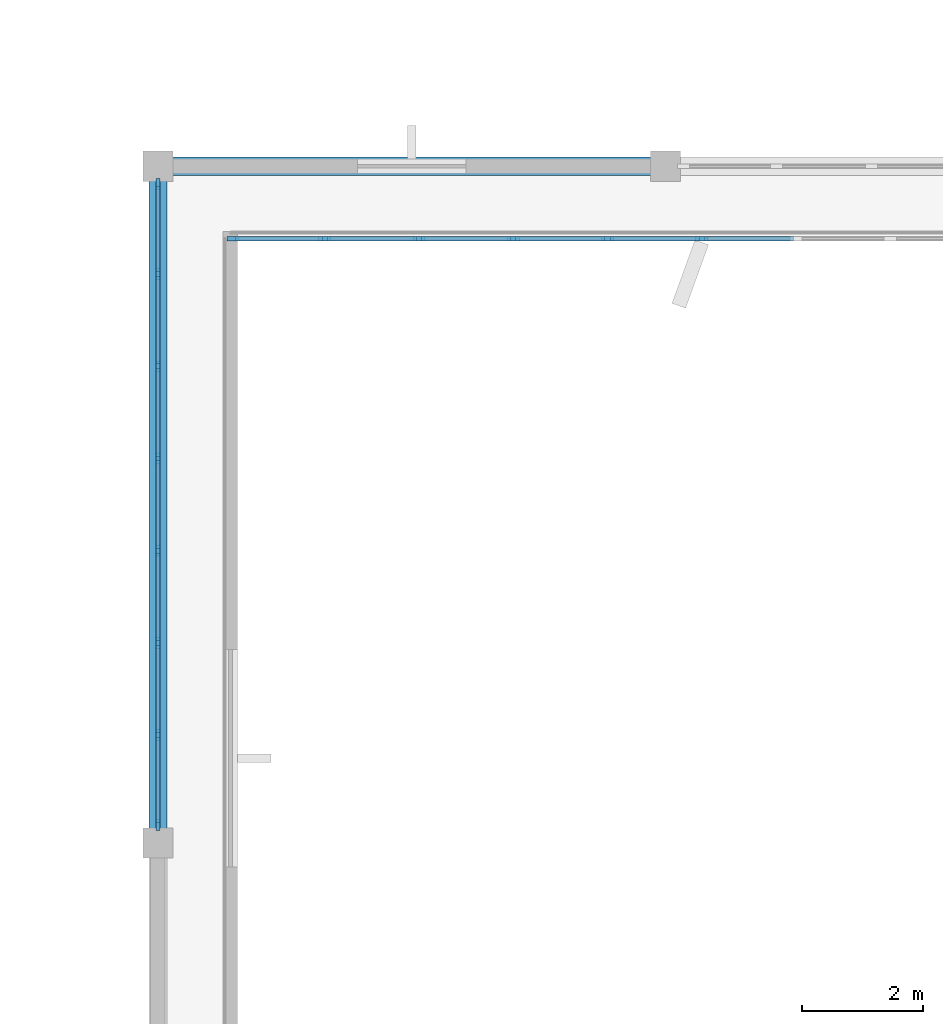
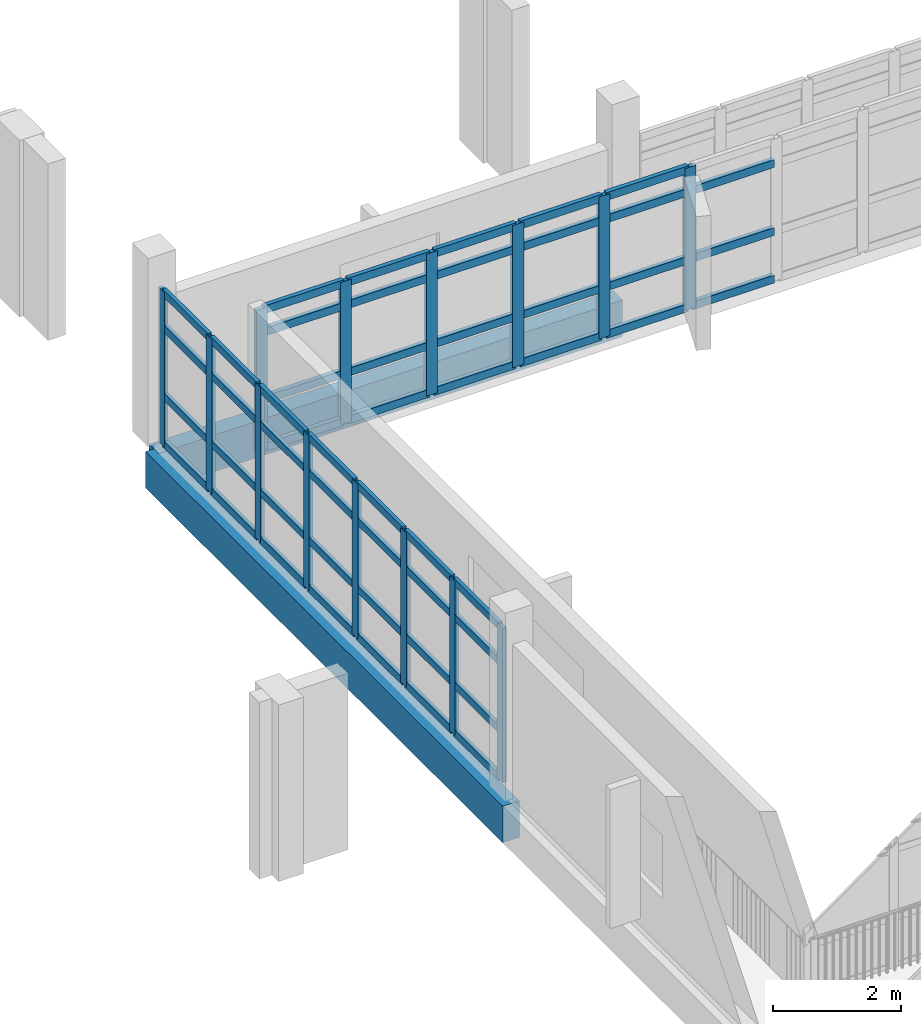
# One storey, part 34 of 104: 65 members, 2 beams, 2 elements without a shape of their own.
"""IFC4 building model written with IfcOpenShell, lengths in metres."""

from ifc_helpers import new_model, si_unit, direction, frame, origin, origin_2d, place, context, subcontext, project, spatial, rectangle, extrude, material, material_profile, profile_set, type_object, element, aggregate, save


model = new_model("IFC4")

# Units and contexts
model_context = context("Model", 3, precision=1e-05, world=origin(), true_north=direction((0.0, 1.0)))
body_context = subcontext(model_context, "Body", "Model", "MODEL_VIEW")
ifc_project = project(units=[si_unit("LENGTHUNIT", "METRE"), si_unit("AREAUNIT", "SQUARE_METRE"), si_unit("VOLUMEUNIT", "CUBIC_METRE"), si_unit("PLANEANGLEUNIT", "RADIAN"), si_unit("MASSUNIT", "GRAM", prefix="KILO")], contexts=[model_context])

# Site, building, storey
site_placement = place(None, origin())
site = spatial("IfcSite", under=ifc_project, at=site_placement, CompositionType="ELEMENT")
building_placement = place(site_placement, origin())
building = spatial("IfcBuilding", under=site, at=building_placement, Name="Vanh Quang Courtyard School", CompositionType="ELEMENT")
storey_placement = place(building_placement, frame((0.0, 0.0, 4.199951171875)))
storey = spatial("IfcBuildingStorey", under=building, at=storey_placement, Name="L01", CompositionType="ELEMENT", Elevation=4.199951171875)

# Beams
ifc_material_1 = material(Name="Concrete C35/45", Category="concrete")
ifc_material_profile_1 = material_profile(ifc_material_1, rectangle(XDim=0.300048828125, YDim=0.699951171875, at=origin_2d()), Name="RC-SP 300x700")
ifc_profile_set_1 = profile_set([ifc_material_profile_1], Name="Concrete C35/45")
beam_type = type_object("IfcBeamType", Name="BM-SP-300x700", PredefinedType="SPANDREL", material=ifc_profile_set_1)
beam_1_placement = place(storey_placement, frame((4.199951171875, 107.800048828125, -0.6298828125), z_axis=(1.0, 0.0, 0.0), x_axis=(0.0, 1.0, 0.0)))
element("IfcBeam", 1, at=beam_1_placement, inside=storey, type_object=beam_type, Name="Beam BS-01 (L01)", PredefinedType="SPANDREL", context=body_context, shape_type="SweptSolid", body=[
    extrude(rectangle(XDim=0.300048828125, YDim=0.699951171875, at=origin_2d()), origin(), (0.0, 0.0, 1.0), 8.400146484375),
])
beam_2_placement = place(storey_placement, frame((4.199951171875, 96.60009765625, -0.6298828125), z_axis=(0.0, 1.0, 0.0), x_axis=(-1.0, 0.0, 0.0)))
element("IfcBeam", 2, at=beam_2_placement, inside=storey, type_object=beam_type, Name="Beam BS-01 (L01)", PredefinedType="SPANDREL", context=body_context, shape_type="SweptSolid", body=[
    extrude(rectangle(XDim=0.300048828125, YDim=0.699951171875, at=origin_2d()), origin(), (0.0, 0.0, 1.0), 11.199951171875),
])

# Curtain wall, members
ifc_material_2 = material(Name="Thermally broken aluminium unitised curtain wall", Category="aluminium")
curtain_wall_type_1 = type_object("IfcCurtainWallType", Name="CW-SYS-22", PredefinedType="NOTDEFINED", material=ifc_material_2)
curtain_wall_1_placement = place(storey_placement, origin())
curtain_wall_1 = element("IfcCurtainWall", 3, at=curtain_wall_1_placement, inside=storey, type_object=curtain_wall_type_1, Name="Curtain Wall CW-22 (L01)", PredefinedType="NOTDEFINED")
ifc_material_3 = material(Name="Anodised aluminium 6063-T6", Category="aluminium")
ifc_material_profile_2 = material_profile(ifc_material_3, rectangle(XDim=0.070068359375, YDim=0.179931640625, at=origin_2d()), Name="ALU-MUL 70x180")
ifc_profile_set_2 = profile_set([ifc_material_profile_2], Name="Anodised aluminium 6063-T6")
member_type_1 = type_object("IfcMemberType", Name="CW-MUL-70x180", PredefinedType="MULLION", material=ifc_profile_set_2)
member_1_placement = place(storey_placement, frame((4.199951171875, 96.89306640625, 0.0), z_axis=(0.0, 0.0, 1.0), x_axis=(-1.0, 0.0, 0.0)))
member_1 = element("IfcMember", 4, at=member_1_placement, type_object=member_type_1, Name="CW-22 mullion 1", PredefinedType="MULLION", context=body_context, shape_type="SweptSolid", body=[
    extrude(rectangle(XDim=0.070068359375, YDim=0.179931640625, at=origin_2d()), origin(), (0.0, 0.0, 1.0), 2.9599609375),
])
member_2_placement = place(storey_placement, frame((4.199951171875, 98.38427734375, 0.0), z_axis=(0.0, 0.0, 1.0), x_axis=(-1.0, 0.0, 0.0)))
member_2 = element("IfcMember", 5, at=member_2_placement, type_object=member_type_1, Name="CW-22 mullion 2", PredefinedType="MULLION", context=body_context, shape_type="SweptSolid", body=[
    extrude(rectangle(XDim=0.070068359375, YDim=0.179931640625, at=origin_2d()), origin(), (0.0, 0.0, 1.0), 2.9599609375),
])
member_3_placement = place(storey_placement, frame((4.199951171875, 99.91064453125, 0.0), z_axis=(0.0, 0.0, 1.0), x_axis=(-1.0, 0.0, 0.0)))
member_3 = element("IfcMember", 6, at=member_3_placement, type_object=member_type_1, Name="CW-22 mullion 3", PredefinedType="MULLION", context=body_context, shape_type="SweptSolid", body=[
    extrude(rectangle(XDim=0.070068359375, YDim=0.179931640625, at=origin_2d()), origin(), (0.0, 0.0, 1.0), 2.9599609375),
])
member_4_placement = place(storey_placement, frame((4.199951171875, 101.436767578125, 0.0), z_axis=(0.0, 0.0, 1.0), x_axis=(-1.0, 0.0, 0.0)))
member_4 = element("IfcMember", 7, at=member_4_placement, type_object=member_type_1, Name="CW-22 mullion 4", PredefinedType="MULLION", context=body_context, shape_type="SweptSolid", body=[
    extrude(rectangle(XDim=0.070068359375, YDim=0.179931640625, at=origin_2d()), origin(), (0.0, 0.0, 1.0), 2.9599609375),
])
member_5_placement = place(storey_placement, frame((4.199951171875, 102.963134765625, 0.0), z_axis=(0.0, 0.0, 1.0), x_axis=(-1.0, 0.0, 0.0)))
member_5 = element("IfcMember", 8, at=member_5_placement, type_object=member_type_1, Name="CW-22 mullion 5", PredefinedType="MULLION", context=body_context, shape_type="SweptSolid", body=[
    extrude(rectangle(XDim=0.070068359375, YDim=0.179931640625, at=origin_2d()), origin(), (0.0, 0.0, 1.0), 2.9599609375),
])
member_6_placement = place(storey_placement, frame((4.199951171875, 104.489501953125, 0.0), z_axis=(0.0, 0.0, 1.0), x_axis=(-1.0, 0.0, 0.0)))
member_6 = element("IfcMember", 9, at=member_6_placement, type_object=member_type_1, Name="CW-22 mullion 6", PredefinedType="MULLION", context=body_context, shape_type="SweptSolid", body=[
    extrude(rectangle(XDim=0.070068359375, YDim=0.179931640625, at=origin_2d()), origin(), (0.0, 0.0, 1.0), 2.9599609375),
])
member_7_placement = place(storey_placement, frame((4.199951171875, 106.015625, 0.0), z_axis=(0.0, 0.0, 1.0), x_axis=(-1.0, 0.0, 0.0)))
member_7 = element("IfcMember", 10, at=member_7_placement, type_object=member_type_1, Name="CW-22 mullion 7", PredefinedType="MULLION", context=body_context, shape_type="SweptSolid", body=[
    extrude(rectangle(XDim=0.070068359375, YDim=0.179931640625, at=origin_2d()), origin(), (0.0, 0.0, 1.0), 2.9599609375),
])
member_8_placement = place(storey_placement, frame((4.199951171875, 107.507080078125, 0.0), z_axis=(0.0, 0.0, 1.0), x_axis=(-1.0, 0.0, 0.0)))
member_8 = element("IfcMember", 11, at=member_8_placement, type_object=member_type_1, Name="CW-22 mullion 8", PredefinedType="MULLION", context=body_context, shape_type="SweptSolid", body=[
    extrude(rectangle(XDim=0.070068359375, YDim=0.179931640625, at=origin_2d()), origin(), (0.0, 0.0, 1.0), 2.9599609375),
])

curtain_wall_type_2 = type_object("IfcCurtainWallType", Name="CW-SYS-35", PredefinedType="NOTDEFINED", material=ifc_material_2)
curtain_wall_2_placement = place(storey_placement, origin())
curtain_wall_2 = element("IfcCurtainWall", 12, at=curtain_wall_2_placement, inside=storey, type_object=curtain_wall_type_2, Name="Curtain Wall CW-35 (L01)", PredefinedType="NOTDEFINED")
ifc_material_profile_3 = material_profile(ifc_material_3, rectangle(XDim=0.080078125, YDim=0.199951171875, at=origin_2d()), Name="ALU-MUL 80x200")
ifc_profile_set_3 = profile_set([ifc_material_profile_3], Name="Anodised aluminium 6063-T6")
member_type_2 = type_object("IfcMemberType", Name="CW-MUL-80x200", PredefinedType="MULLION", material=ifc_profile_set_3)
member_9_placement = place(storey_placement, frame((13.199951171875, 106.60009765625, 0.0), z_axis=(0.0, 0.0, 1.0), x_axis=(0.0, -1.0, 0.0)))
member_9 = element("IfcMember", 13, at=member_9_placement, type_object=member_type_2, Name="CW-35 mullion 6", PredefinedType="MULLION", context=body_context, shape_type="SweptSolid", body=[
    extrude(rectangle(XDim=0.080078125, YDim=0.199951171875, at=origin_2d()), origin(), (0.0, 0.0, 1.0), 2.719970703125),
])
member_10_placement = place(storey_placement, frame((11.639892578125, 106.60009765625, 0.0), z_axis=(0.0, 0.0, 1.0), x_axis=(0.0, -1.0, 0.0)))
member_10 = element("IfcMember", 14, at=member_10_placement, type_object=member_type_2, Name="CW-35 mullion 7", PredefinedType="MULLION", context=body_context, shape_type="SweptSolid", body=[
    extrude(rectangle(XDim=0.080078125, YDim=0.199951171875, at=origin_2d()), origin(), (0.0, 0.0, 1.0), 2.719970703125),
])
member_11_placement = place(storey_placement, frame((10.080078125, 106.60009765625, 0.0), z_axis=(0.0, 0.0, 1.0), x_axis=(0.0, -1.0, 0.0)))
member_11 = element("IfcMember", 15, at=member_11_placement, type_object=member_type_2, Name="CW-35 mullion 8", PredefinedType="MULLION", context=body_context, shape_type="SweptSolid", body=[
    extrude(rectangle(XDim=0.080078125, YDim=0.199951171875, at=origin_2d()), origin(), (0.0, 0.0, 1.0), 2.719970703125),
])
member_12_placement = place(storey_placement, frame((8.52001953125, 106.60009765625, 0.0), z_axis=(0.0, 0.0, 1.0), x_axis=(0.0, -1.0, 0.0)))
member_12 = element("IfcMember", 16, at=member_12_placement, type_object=member_type_2, Name="CW-35 mullion 9", PredefinedType="MULLION", context=body_context, shape_type="SweptSolid", body=[
    extrude(rectangle(XDim=0.080078125, YDim=0.199951171875, at=origin_2d()), origin(), (0.0, 0.0, 1.0), 2.719970703125),
])
member_13_placement = place(storey_placement, frame((6.9599609375, 106.60009765625, 0.0), z_axis=(0.0, 0.0, 1.0), x_axis=(0.0, -1.0, 0.0)))
member_13 = element("IfcMember", 17, at=member_13_placement, type_object=member_type_2, Name="CW-35 mullion 10", PredefinedType="MULLION", context=body_context, shape_type="SweptSolid", body=[
    extrude(rectangle(XDim=0.080078125, YDim=0.199951171875, at=origin_2d()), origin(), (0.0, 0.0, 1.0), 2.719970703125),
])
member_14_placement = place(storey_placement, frame((5.43994140625, 106.60009765625, 0.0), z_axis=(0.0, 0.0, 1.0), x_axis=(0.0, -1.0, 0.0)))
member_14 = element("IfcMember", 18, at=member_14_placement, type_object=member_type_2, Name="CW-35 mullion 11", PredefinedType="MULLION", context=body_context, shape_type="SweptSolid", body=[
    extrude(rectangle(XDim=0.080078125, YDim=0.199951171875, at=origin_2d()), origin(), (0.0, 0.0, 1.0), 2.719970703125),
])

# Member
ifc_material_profile_4 = material_profile(ifc_material_3, rectangle(XDim=0.070068359375, YDim=0.139892578125, at=origin_2d()), Name="ALU-TRN 70x140")
ifc_profile_set_4 = profile_set([ifc_material_profile_4], Name="Anodised aluminium 6063-T6")
member_type_3 = type_object("IfcMemberType", Name="CW-TRN-70x140", PredefinedType="USERDEFINED", material=ifc_profile_set_4)
member_15_placement = place(storey_placement, frame((4.199951171875, 96.927978515625, 0.03515625), z_axis=(0.0, 1.0, 0.0), x_axis=(-1.0, 0.0, 0.0)))
member_15 = element("IfcMember", 19, at=member_15_placement, type_object=member_type_3, Name="CW-22 transom 1.1", ObjectType="TRANSOM", PredefinedType="USERDEFINED", context=body_context, shape_type="SweptSolid", body=[
    extrude(rectangle(XDim=0.070068359375, YDim=0.139892578125, at=origin_2d()), origin(), (0.0, 0.0, 1.0), 1.42138671875),
])

member_16_placement = place(storey_placement, frame((4.199951171875, 96.927978515625, 0.949951171875), z_axis=(0.0, 1.0, 0.0), x_axis=(-1.0, 0.0, 0.0)))
member_16 = element("IfcMember", 20, at=member_16_placement, type_object=member_type_3, Name="CW-22 transom 1.2", ObjectType="TRANSOM", PredefinedType="USERDEFINED", context=body_context, shape_type="SweptSolid", body=[
    extrude(rectangle(XDim=0.070068359375, YDim=0.139892578125, at=origin_2d()), origin(), (0.0, 0.0, 1.0), 1.42138671875),
])

member_17_placement = place(storey_placement, frame((4.199951171875, 96.927978515625, 2.25), z_axis=(0.0, 1.0, 0.0), x_axis=(-1.0, 0.0, 0.0)))
member_17 = element("IfcMember", 21, at=member_17_placement, type_object=member_type_3, Name="CW-22 transom 1.3", ObjectType="TRANSOM", PredefinedType="USERDEFINED", context=body_context, shape_type="SweptSolid", body=[
    extrude(rectangle(XDim=0.070068359375, YDim=0.139892578125, at=origin_2d()), origin(), (0.0, 0.0, 1.0), 1.42138671875),
])

member_18_placement = place(storey_placement, frame((4.199951171875, 96.927978515625, 2.925048828125), z_axis=(0.0, 1.0, 0.0), x_axis=(-1.0, 0.0, 0.0)))
member_18 = element("IfcMember", 22, at=member_18_placement, type_object=member_type_3, Name="CW-22 transom 1.4", ObjectType="TRANSOM", PredefinedType="USERDEFINED", context=body_context, shape_type="SweptSolid", body=[
    extrude(rectangle(XDim=0.070068359375, YDim=0.139892578125, at=origin_2d()), origin(), (0.0, 0.0, 1.0), 1.42138671875),
])

member_19_placement = place(storey_placement, frame((4.199951171875, 98.419189453125, 0.03515625), z_axis=(0.0, 1.0, 0.0), x_axis=(-1.0, 0.0, 0.0)))
member_19 = element("IfcMember", 23, at=member_19_placement, type_object=member_type_3, Name="CW-22 transom 2.1", ObjectType="TRANSOM", PredefinedType="USERDEFINED", context=body_context, shape_type="SweptSolid", body=[
    extrude(rectangle(XDim=0.070068359375, YDim=0.139892578125, at=origin_2d()), origin(), (0.0, 0.0, 1.0), 1.456298828125),
])

member_20_placement = place(storey_placement, frame((4.199951171875, 98.419189453125, 0.949951171875), z_axis=(0.0, 1.0, 0.0), x_axis=(-1.0, 0.0, 0.0)))
member_20 = element("IfcMember", 24, at=member_20_placement, type_object=member_type_3, Name="CW-22 transom 2.2", ObjectType="TRANSOM", PredefinedType="USERDEFINED", context=body_context, shape_type="SweptSolid", body=[
    extrude(rectangle(XDim=0.070068359375, YDim=0.139892578125, at=origin_2d()), origin(), (0.0, 0.0, 1.0), 1.456298828125),
])

member_21_placement = place(storey_placement, frame((4.199951171875, 98.419189453125, 2.25), z_axis=(0.0, 1.0, 0.0), x_axis=(-1.0, 0.0, 0.0)))
member_21 = element("IfcMember", 25, at=member_21_placement, type_object=member_type_3, Name="CW-22 transom 2.3", ObjectType="TRANSOM", PredefinedType="USERDEFINED", context=body_context, shape_type="SweptSolid", body=[
    extrude(rectangle(XDim=0.070068359375, YDim=0.139892578125, at=origin_2d()), origin(), (0.0, 0.0, 1.0), 1.456298828125),
])

member_22_placement = place(storey_placement, frame((4.199951171875, 98.419189453125, 2.925048828125), z_axis=(0.0, 1.0, 0.0), x_axis=(-1.0, 0.0, 0.0)))
member_22 = element("IfcMember", 26, at=member_22_placement, type_object=member_type_3, Name="CW-22 transom 2.4", ObjectType="TRANSOM", PredefinedType="USERDEFINED", context=body_context, shape_type="SweptSolid", body=[
    extrude(rectangle(XDim=0.070068359375, YDim=0.139892578125, at=origin_2d()), origin(), (0.0, 0.0, 1.0), 1.456298828125),
])

member_23_placement = place(storey_placement, frame((4.199951171875, 99.945556640625, 0.03515625), z_axis=(0.0, 1.0, 0.0), x_axis=(-1.0, 0.0, 0.0)))
member_23 = element("IfcMember", 27, at=member_23_placement, type_object=member_type_3, Name="CW-22 transom 3.1", ObjectType="TRANSOM", PredefinedType="USERDEFINED", context=body_context, shape_type="SweptSolid", body=[
    extrude(rectangle(XDim=0.070068359375, YDim=0.139892578125, at=origin_2d()), origin(), (0.0, 0.0, 1.0), 1.456298828125),
])

member_24_placement = place(storey_placement, frame((4.199951171875, 99.945556640625, 0.949951171875), z_axis=(0.0, 1.0, 0.0), x_axis=(-1.0, 0.0, 0.0)))
member_24 = element("IfcMember", 28, at=member_24_placement, type_object=member_type_3, Name="CW-22 transom 3.2", ObjectType="TRANSOM", PredefinedType="USERDEFINED", context=body_context, shape_type="SweptSolid", body=[
    extrude(rectangle(XDim=0.070068359375, YDim=0.139892578125, at=origin_2d()), origin(), (0.0, 0.0, 1.0), 1.456298828125),
])

member_25_placement = place(storey_placement, frame((4.199951171875, 99.945556640625, 2.25), z_axis=(0.0, 1.0, 0.0), x_axis=(-1.0, 0.0, 0.0)))
member_25 = element("IfcMember", 29, at=member_25_placement, type_object=member_type_3, Name="CW-22 transom 3.3", ObjectType="TRANSOM", PredefinedType="USERDEFINED", context=body_context, shape_type="SweptSolid", body=[
    extrude(rectangle(XDim=0.070068359375, YDim=0.139892578125, at=origin_2d()), origin(), (0.0, 0.0, 1.0), 1.456298828125),
])

member_26_placement = place(storey_placement, frame((4.199951171875, 99.945556640625, 2.925048828125), z_axis=(0.0, 1.0, 0.0), x_axis=(-1.0, 0.0, 0.0)))
member_26 = element("IfcMember", 30, at=member_26_placement, type_object=member_type_3, Name="CW-22 transom 3.4", ObjectType="TRANSOM", PredefinedType="USERDEFINED", context=body_context, shape_type="SweptSolid", body=[
    extrude(rectangle(XDim=0.070068359375, YDim=0.139892578125, at=origin_2d()), origin(), (0.0, 0.0, 1.0), 1.456298828125),
])

member_27_placement = place(storey_placement, frame((4.199951171875, 101.471923828125, 0.03515625), z_axis=(0.0, 1.0, 0.0), x_axis=(-1.0, 0.0, 0.0)))
member_27 = element("IfcMember", 31, at=member_27_placement, type_object=member_type_3, Name="CW-22 transom 4.1", ObjectType="TRANSOM", PredefinedType="USERDEFINED", context=body_context, shape_type="SweptSolid", body=[
    extrude(rectangle(XDim=0.070068359375, YDim=0.139892578125, at=origin_2d()), origin(), (0.0, 0.0, 1.0), 1.456298828125),
])

member_28_placement = place(storey_placement, frame((4.199951171875, 101.471923828125, 0.949951171875), z_axis=(0.0, 1.0, 0.0), x_axis=(-1.0, 0.0, 0.0)))
member_28 = element("IfcMember", 32, at=member_28_placement, type_object=member_type_3, Name="CW-22 transom 4.2", ObjectType="TRANSOM", PredefinedType="USERDEFINED", context=body_context, shape_type="SweptSolid", body=[
    extrude(rectangle(XDim=0.070068359375, YDim=0.139892578125, at=origin_2d()), origin(), (0.0, 0.0, 1.0), 1.456298828125),
])

member_29_placement = place(storey_placement, frame((4.199951171875, 101.471923828125, 2.25), z_axis=(0.0, 1.0, 0.0), x_axis=(-1.0, 0.0, 0.0)))
member_29 = element("IfcMember", 33, at=member_29_placement, type_object=member_type_3, Name="CW-22 transom 4.3", ObjectType="TRANSOM", PredefinedType="USERDEFINED", context=body_context, shape_type="SweptSolid", body=[
    extrude(rectangle(XDim=0.070068359375, YDim=0.139892578125, at=origin_2d()), origin(), (0.0, 0.0, 1.0), 1.456298828125),
])

member_30_placement = place(storey_placement, frame((4.199951171875, 101.471923828125, 2.925048828125), z_axis=(0.0, 1.0, 0.0), x_axis=(-1.0, 0.0, 0.0)))
member_30 = element("IfcMember", 34, at=member_30_placement, type_object=member_type_3, Name="CW-22 transom 4.4", ObjectType="TRANSOM", PredefinedType="USERDEFINED", context=body_context, shape_type="SweptSolid", body=[
    extrude(rectangle(XDim=0.070068359375, YDim=0.139892578125, at=origin_2d()), origin(), (0.0, 0.0, 1.0), 1.456298828125),
])

member_31_placement = place(storey_placement, frame((4.199951171875, 102.998046875, 0.03515625), z_axis=(0.0, 1.0, 0.0), x_axis=(-1.0, 0.0, 0.0)))
member_31 = element("IfcMember", 35, at=member_31_placement, type_object=member_type_3, Name="CW-22 transom 5.1", ObjectType="TRANSOM", PredefinedType="USERDEFINED", context=body_context, shape_type="SweptSolid", body=[
    extrude(rectangle(XDim=0.070068359375, YDim=0.139892578125, at=origin_2d()), origin(), (0.0, 0.0, 1.0), 1.456298828125),
])

member_32_placement = place(storey_placement, frame((4.199951171875, 102.998046875, 0.949951171875), z_axis=(0.0, 1.0, 0.0), x_axis=(-1.0, 0.0, 0.0)))
member_32 = element("IfcMember", 36, at=member_32_placement, type_object=member_type_3, Name="CW-22 transom 5.2", ObjectType="TRANSOM", PredefinedType="USERDEFINED", context=body_context, shape_type="SweptSolid", body=[
    extrude(rectangle(XDim=0.070068359375, YDim=0.139892578125, at=origin_2d()), origin(), (0.0, 0.0, 1.0), 1.456298828125),
])

member_33_placement = place(storey_placement, frame((4.199951171875, 102.998046875, 2.25), z_axis=(0.0, 1.0, 0.0), x_axis=(-1.0, 0.0, 0.0)))
member_33 = element("IfcMember", 37, at=member_33_placement, type_object=member_type_3, Name="CW-22 transom 5.3", ObjectType="TRANSOM", PredefinedType="USERDEFINED", context=body_context, shape_type="SweptSolid", body=[
    extrude(rectangle(XDim=0.070068359375, YDim=0.139892578125, at=origin_2d()), origin(), (0.0, 0.0, 1.0), 1.456298828125),
])

member_34_placement = place(storey_placement, frame((4.199951171875, 102.998046875, 2.925048828125), z_axis=(0.0, 1.0, 0.0), x_axis=(-1.0, 0.0, 0.0)))
member_34 = element("IfcMember", 38, at=member_34_placement, type_object=member_type_3, Name="CW-22 transom 5.4", ObjectType="TRANSOM", PredefinedType="USERDEFINED", context=body_context, shape_type="SweptSolid", body=[
    extrude(rectangle(XDim=0.070068359375, YDim=0.139892578125, at=origin_2d()), origin(), (0.0, 0.0, 1.0), 1.456298828125),
])

member_35_placement = place(storey_placement, frame((4.199951171875, 104.5244140625, 0.03515625), z_axis=(0.0, 1.0, 0.0), x_axis=(-1.0, 0.0, 0.0)))
member_35 = element("IfcMember", 39, at=member_35_placement, type_object=member_type_3, Name="CW-22 transom 6.1", ObjectType="TRANSOM", PredefinedType="USERDEFINED", context=body_context, shape_type="SweptSolid", body=[
    extrude(rectangle(XDim=0.070068359375, YDim=0.139892578125, at=origin_2d()), origin(), (0.0, 0.0, 1.0), 1.456298828125),
])

member_36_placement = place(storey_placement, frame((4.199951171875, 104.5244140625, 0.949951171875), z_axis=(0.0, 1.0, 0.0), x_axis=(-1.0, 0.0, 0.0)))
member_36 = element("IfcMember", 40, at=member_36_placement, type_object=member_type_3, Name="CW-22 transom 6.2", ObjectType="TRANSOM", PredefinedType="USERDEFINED", context=body_context, shape_type="SweptSolid", body=[
    extrude(rectangle(XDim=0.070068359375, YDim=0.139892578125, at=origin_2d()), origin(), (0.0, 0.0, 1.0), 1.456298828125),
])

member_37_placement = place(storey_placement, frame((4.199951171875, 104.5244140625, 2.25), z_axis=(0.0, 1.0, 0.0), x_axis=(-1.0, 0.0, 0.0)))
member_37 = element("IfcMember", 41, at=member_37_placement, type_object=member_type_3, Name="CW-22 transom 6.3", ObjectType="TRANSOM", PredefinedType="USERDEFINED", context=body_context, shape_type="SweptSolid", body=[
    extrude(rectangle(XDim=0.070068359375, YDim=0.139892578125, at=origin_2d()), origin(), (0.0, 0.0, 1.0), 1.456298828125),
])

member_38_placement = place(storey_placement, frame((4.199951171875, 104.5244140625, 2.925048828125), z_axis=(0.0, 1.0, 0.0), x_axis=(-1.0, 0.0, 0.0)))
member_38 = element("IfcMember", 42, at=member_38_placement, type_object=member_type_3, Name="CW-22 transom 6.4", ObjectType="TRANSOM", PredefinedType="USERDEFINED", context=body_context, shape_type="SweptSolid", body=[
    extrude(rectangle(XDim=0.070068359375, YDim=0.139892578125, at=origin_2d()), origin(), (0.0, 0.0, 1.0), 1.456298828125),
])

member_39_placement = place(storey_placement, frame((4.199951171875, 106.05078125, 0.03515625), z_axis=(0.0, 1.0, 0.0), x_axis=(-1.0, 0.0, 0.0)))
member_39 = element("IfcMember", 43, at=member_39_placement, type_object=member_type_3, Name="CW-22 transom 7.1", ObjectType="TRANSOM", PredefinedType="USERDEFINED", context=body_context, shape_type="SweptSolid", body=[
    extrude(rectangle(XDim=0.070068359375, YDim=0.139892578125, at=origin_2d()), origin(), (0.0, 0.0, 1.0), 1.421142578125),
])

member_40_placement = place(storey_placement, frame((4.199951171875, 106.05078125, 0.949951171875), z_axis=(0.0, 1.0, 0.0), x_axis=(-1.0, 0.0, 0.0)))
member_40 = element("IfcMember", 44, at=member_40_placement, type_object=member_type_3, Name="CW-22 transom 7.2", ObjectType="TRANSOM", PredefinedType="USERDEFINED", context=body_context, shape_type="SweptSolid", body=[
    extrude(rectangle(XDim=0.070068359375, YDim=0.139892578125, at=origin_2d()), origin(), (0.0, 0.0, 1.0), 1.421142578125),
])

member_41_placement = place(storey_placement, frame((4.199951171875, 106.05078125, 2.25), z_axis=(0.0, 1.0, 0.0), x_axis=(-1.0, 0.0, 0.0)))
member_41 = element("IfcMember", 45, at=member_41_placement, type_object=member_type_3, Name="CW-22 transom 7.3", ObjectType="TRANSOM", PredefinedType="USERDEFINED", context=body_context, shape_type="SweptSolid", body=[
    extrude(rectangle(XDim=0.070068359375, YDim=0.139892578125, at=origin_2d()), origin(), (0.0, 0.0, 1.0), 1.421142578125),
])

member_42_placement = place(storey_placement, frame((4.199951171875, 106.05078125, 2.925048828125), z_axis=(0.0, 1.0, 0.0), x_axis=(-1.0, 0.0, 0.0)))
member_42 = element("IfcMember", 46, at=member_42_placement, type_object=member_type_3, Name="CW-22 transom 7.4", ObjectType="TRANSOM", PredefinedType="USERDEFINED", context=body_context, shape_type="SweptSolid", body=[
    extrude(rectangle(XDim=0.070068359375, YDim=0.139892578125, at=origin_2d()), origin(), (0.0, 0.0, 1.0), 1.421142578125),
])

aggregate(curtain_wall_1, [member_1, member_2, member_3, member_4, member_5, member_6, member_7, member_8, member_15, member_16, member_17, member_18, member_19, member_20, member_21, member_22, member_23, member_24, member_25, member_26, member_27, member_28, member_29, member_30, member_31, member_32, member_33, member_34, member_35, member_36, member_37, member_38, member_39, member_40, member_41, member_42])

ifc_material_profile_5 = material_profile(ifc_material_3, rectangle(XDim=0.080078125, YDim=0.14990234375, at=origin_2d()), Name="ALU-TRN 80x150")
ifc_profile_set_5 = profile_set([ifc_material_profile_5], Name="Anodised aluminium 6063-T6")
member_type_4 = type_object("IfcMemberType", Name="CW-TRN-80x150", PredefinedType="USERDEFINED", material=ifc_profile_set_5)
member_43_placement = place(storey_placement, frame((14.719970703125, 106.60009765625, 0.0400390625), z_axis=(-1.0, 0.0, 0.0), x_axis=(0.0, -1.0, 0.0)))
member_43 = element("IfcMember", 47, at=member_43_placement, type_object=member_type_4, Name="CW-35 transom 5.1", ObjectType="TRANSOM", PredefinedType="USERDEFINED", context=body_context, shape_type="SweptSolid", body=[
    extrude(rectangle(XDim=0.080078125, YDim=0.14990234375, at=origin_2d()), origin(), (0.0, 0.0, 1.0), 1.47998046875),
])

member_44_placement = place(storey_placement, frame((14.719970703125, 106.60009765625, 0.949951171875), z_axis=(-1.0, 0.0, 0.0), x_axis=(0.0, -1.0, 0.0)))
member_44 = element("IfcMember", 48, at=member_44_placement, type_object=member_type_4, Name="CW-35 transom 5.2", ObjectType="TRANSOM", PredefinedType="USERDEFINED", context=body_context, shape_type="SweptSolid", body=[
    extrude(rectangle(XDim=0.080078125, YDim=0.14990234375, at=origin_2d()), origin(), (0.0, 0.0, 1.0), 1.47998046875),
])

member_45_placement = place(storey_placement, frame((14.719970703125, 106.60009765625, 2.25), z_axis=(-1.0, 0.0, 0.0), x_axis=(0.0, -1.0, 0.0)))
member_45 = element("IfcMember", 49, at=member_45_placement, type_object=member_type_4, Name="CW-35 transom 5.3", ObjectType="TRANSOM", PredefinedType="USERDEFINED", context=body_context, shape_type="SweptSolid", body=[
    extrude(rectangle(XDim=0.080078125, YDim=0.14990234375, at=origin_2d()), origin(), (0.0, 0.0, 1.0), 1.47998046875),
])

member_46_placement = place(storey_placement, frame((13.159912109375, 106.60009765625, 0.0400390625), z_axis=(-1.0, 0.0, 0.0), x_axis=(0.0, -1.0, 0.0)))
member_46 = element("IfcMember", 50, at=member_46_placement, type_object=member_type_4, Name="CW-35 transom 6.1", ObjectType="TRANSOM", PredefinedType="USERDEFINED", context=body_context, shape_type="SweptSolid", body=[
    extrude(rectangle(XDim=0.080078125, YDim=0.14990234375, at=origin_2d()), origin(), (0.0, 0.0, 1.0), 1.47998046875),
])

member_47_placement = place(storey_placement, frame((13.159912109375, 106.60009765625, 0.949951171875), z_axis=(-1.0, 0.0, 0.0), x_axis=(0.0, -1.0, 0.0)))
member_47 = element("IfcMember", 51, at=member_47_placement, type_object=member_type_4, Name="CW-35 transom 6.2", ObjectType="TRANSOM", PredefinedType="USERDEFINED", context=body_context, shape_type="SweptSolid", body=[
    extrude(rectangle(XDim=0.080078125, YDim=0.14990234375, at=origin_2d()), origin(), (0.0, 0.0, 1.0), 1.47998046875),
])

member_48_placement = place(storey_placement, frame((13.159912109375, 106.60009765625, 2.25), z_axis=(-1.0, 0.0, 0.0), x_axis=(0.0, -1.0, 0.0)))
member_48 = element("IfcMember", 52, at=member_48_placement, type_object=member_type_4, Name="CW-35 transom 6.3", ObjectType="TRANSOM", PredefinedType="USERDEFINED", context=body_context, shape_type="SweptSolid", body=[
    extrude(rectangle(XDim=0.080078125, YDim=0.14990234375, at=origin_2d()), origin(), (0.0, 0.0, 1.0), 1.47998046875),
])

member_49_placement = place(storey_placement, frame((13.159912109375, 106.60009765625, 2.679931640625), z_axis=(-1.0, 0.0, 0.0), x_axis=(0.0, -1.0, 0.0)))
member_49 = element("IfcMember", 53, at=member_49_placement, type_object=member_type_4, Name="CW-35 transom 6.4", ObjectType="TRANSOM", PredefinedType="USERDEFINED", context=body_context, shape_type="SweptSolid", body=[
    extrude(rectangle(XDim=0.080078125, YDim=0.14990234375, at=origin_2d()), origin(), (0.0, 0.0, 1.0), 1.47998046875),
])

member_50_placement = place(storey_placement, frame((11.60009765625, 106.60009765625, 0.0400390625), z_axis=(-1.0, 0.0, 0.0), x_axis=(0.0, -1.0, 0.0)))
member_50 = element("IfcMember", 54, at=member_50_placement, type_object=member_type_4, Name="CW-35 transom 7.1", ObjectType="TRANSOM", PredefinedType="USERDEFINED", context=body_context, shape_type="SweptSolid", body=[
    extrude(rectangle(XDim=0.080078125, YDim=0.14990234375, at=origin_2d()), origin(), (0.0, 0.0, 1.0), 1.47998046875),
])

member_51_placement = place(storey_placement, frame((11.60009765625, 106.60009765625, 0.949951171875), z_axis=(-1.0, 0.0, 0.0), x_axis=(0.0, -1.0, 0.0)))
member_51 = element("IfcMember", 55, at=member_51_placement, type_object=member_type_4, Name="CW-35 transom 7.2", ObjectType="TRANSOM", PredefinedType="USERDEFINED", context=body_context, shape_type="SweptSolid", body=[
    extrude(rectangle(XDim=0.080078125, YDim=0.14990234375, at=origin_2d()), origin(), (0.0, 0.0, 1.0), 1.47998046875),
])

member_52_placement = place(storey_placement, frame((11.60009765625, 106.60009765625, 2.25), z_axis=(-1.0, 0.0, 0.0), x_axis=(0.0, -1.0, 0.0)))
member_52 = element("IfcMember", 56, at=member_52_placement, type_object=member_type_4, Name="CW-35 transom 7.3", ObjectType="TRANSOM", PredefinedType="USERDEFINED", context=body_context, shape_type="SweptSolid", body=[
    extrude(rectangle(XDim=0.080078125, YDim=0.14990234375, at=origin_2d()), origin(), (0.0, 0.0, 1.0), 1.47998046875),
])

member_53_placement = place(storey_placement, frame((11.60009765625, 106.60009765625, 2.679931640625), z_axis=(-1.0, 0.0, 0.0), x_axis=(0.0, -1.0, 0.0)))
member_53 = element("IfcMember", 57, at=member_53_placement, type_object=member_type_4, Name="CW-35 transom 7.4", ObjectType="TRANSOM", PredefinedType="USERDEFINED", context=body_context, shape_type="SweptSolid", body=[
    extrude(rectangle(XDim=0.080078125, YDim=0.14990234375, at=origin_2d()), origin(), (0.0, 0.0, 1.0), 1.47998046875),
])

member_54_placement = place(storey_placement, frame((10.0400390625, 106.60009765625, 0.0400390625), z_axis=(-1.0, 0.0, 0.0), x_axis=(0.0, -1.0, 0.0)))
member_54 = element("IfcMember", 58, at=member_54_placement, type_object=member_type_4, Name="CW-35 transom 8.1", ObjectType="TRANSOM", PredefinedType="USERDEFINED", context=body_context, shape_type="SweptSolid", body=[
    extrude(rectangle(XDim=0.080078125, YDim=0.14990234375, at=origin_2d()), origin(), (0.0, 0.0, 1.0), 1.47998046875),
])

member_55_placement = place(storey_placement, frame((10.0400390625, 106.60009765625, 0.949951171875), z_axis=(-1.0, 0.0, 0.0), x_axis=(0.0, -1.0, 0.0)))
member_55 = element("IfcMember", 59, at=member_55_placement, type_object=member_type_4, Name="CW-35 transom 8.2", ObjectType="TRANSOM", PredefinedType="USERDEFINED", context=body_context, shape_type="SweptSolid", body=[
    extrude(rectangle(XDim=0.080078125, YDim=0.14990234375, at=origin_2d()), origin(), (0.0, 0.0, 1.0), 1.47998046875),
])

member_56_placement = place(storey_placement, frame((10.0400390625, 106.60009765625, 2.25), z_axis=(-1.0, 0.0, 0.0), x_axis=(0.0, -1.0, 0.0)))
member_56 = element("IfcMember", 60, at=member_56_placement, type_object=member_type_4, Name="CW-35 transom 8.3", ObjectType="TRANSOM", PredefinedType="USERDEFINED", context=body_context, shape_type="SweptSolid", body=[
    extrude(rectangle(XDim=0.080078125, YDim=0.14990234375, at=origin_2d()), origin(), (0.0, 0.0, 1.0), 1.47998046875),
])

member_57_placement = place(storey_placement, frame((10.0400390625, 106.60009765625, 2.679931640625), z_axis=(-1.0, 0.0, 0.0), x_axis=(0.0, -1.0, 0.0)))
member_57 = element("IfcMember", 61, at=member_57_placement, type_object=member_type_4, Name="CW-35 transom 8.4", ObjectType="TRANSOM", PredefinedType="USERDEFINED", context=body_context, shape_type="SweptSolid", body=[
    extrude(rectangle(XDim=0.080078125, YDim=0.14990234375, at=origin_2d()), origin(), (0.0, 0.0, 1.0), 1.47998046875),
])

member_58_placement = place(storey_placement, frame((8.47998046875, 106.60009765625, 0.0400390625), z_axis=(-1.0, 0.0, 0.0), x_axis=(0.0, -1.0, 0.0)))
member_58 = element("IfcMember", 62, at=member_58_placement, type_object=member_type_4, Name="CW-35 transom 9.1", ObjectType="TRANSOM", PredefinedType="USERDEFINED", context=body_context, shape_type="SweptSolid", body=[
    extrude(rectangle(XDim=0.080078125, YDim=0.14990234375, at=origin_2d()), origin(), (0.0, 0.0, 1.0), 1.47998046875),
])

member_59_placement = place(storey_placement, frame((8.47998046875, 106.60009765625, 0.949951171875), z_axis=(-1.0, 0.0, 0.0), x_axis=(0.0, -1.0, 0.0)))
member_59 = element("IfcMember", 63, at=member_59_placement, type_object=member_type_4, Name="CW-35 transom 9.2", ObjectType="TRANSOM", PredefinedType="USERDEFINED", context=body_context, shape_type="SweptSolid", body=[
    extrude(rectangle(XDim=0.080078125, YDim=0.14990234375, at=origin_2d()), origin(), (0.0, 0.0, 1.0), 1.47998046875),
])

member_60_placement = place(storey_placement, frame((8.47998046875, 106.60009765625, 2.25), z_axis=(-1.0, 0.0, 0.0), x_axis=(0.0, -1.0, 0.0)))
member_60 = element("IfcMember", 64, at=member_60_placement, type_object=member_type_4, Name="CW-35 transom 9.3", ObjectType="TRANSOM", PredefinedType="USERDEFINED", context=body_context, shape_type="SweptSolid", body=[
    extrude(rectangle(XDim=0.080078125, YDim=0.14990234375, at=origin_2d()), origin(), (0.0, 0.0, 1.0), 1.47998046875),
])

member_61_placement = place(storey_placement, frame((8.47998046875, 106.60009765625, 2.679931640625), z_axis=(-1.0, 0.0, 0.0), x_axis=(0.0, -1.0, 0.0)))
member_61 = element("IfcMember", 65, at=member_61_placement, type_object=member_type_4, Name="CW-35 transom 9.4", ObjectType="TRANSOM", PredefinedType="USERDEFINED", context=body_context, shape_type="SweptSolid", body=[
    extrude(rectangle(XDim=0.080078125, YDim=0.14990234375, at=origin_2d()), origin(), (0.0, 0.0, 1.0), 1.47998046875),
])

member_62_placement = place(storey_placement, frame((6.919921875, 106.60009765625, 0.0400390625), z_axis=(-1.0, 0.0, 0.0), x_axis=(0.0, -1.0, 0.0)))
member_62 = element("IfcMember", 66, at=member_62_placement, type_object=member_type_4, Name="CW-35 transom 10.1", ObjectType="TRANSOM", PredefinedType="USERDEFINED", context=body_context, shape_type="SweptSolid", body=[
    extrude(rectangle(XDim=0.080078125, YDim=0.14990234375, at=origin_2d()), origin(), (0.0, 0.0, 1.0), 1.43994140625),
])

member_63_placement = place(storey_placement, frame((6.919921875, 106.60009765625, 0.949951171875), z_axis=(-1.0, 0.0, 0.0), x_axis=(0.0, -1.0, 0.0)))
member_63 = element("IfcMember", 67, at=member_63_placement, type_object=member_type_4, Name="CW-35 transom 10.2", ObjectType="TRANSOM", PredefinedType="USERDEFINED", context=body_context, shape_type="SweptSolid", body=[
    extrude(rectangle(XDim=0.080078125, YDim=0.14990234375, at=origin_2d()), origin(), (0.0, 0.0, 1.0), 1.43994140625),
])

member_64_placement = place(storey_placement, frame((6.919921875, 106.60009765625, 2.25), z_axis=(-1.0, 0.0, 0.0), x_axis=(0.0, -1.0, 0.0)))
member_64 = element("IfcMember", 68, at=member_64_placement, type_object=member_type_4, Name="CW-35 transom 10.3", ObjectType="TRANSOM", PredefinedType="USERDEFINED", context=body_context, shape_type="SweptSolid", body=[
    extrude(rectangle(XDim=0.080078125, YDim=0.14990234375, at=origin_2d()), origin(), (0.0, 0.0, 1.0), 1.43994140625),
])

member_65_placement = place(storey_placement, frame((6.919921875, 106.60009765625, 2.679931640625), z_axis=(-1.0, 0.0, 0.0), x_axis=(0.0, -1.0, 0.0)))
member_65 = element("IfcMember", 69, at=member_65_placement, type_object=member_type_4, Name="CW-35 transom 10.4", ObjectType="TRANSOM", PredefinedType="USERDEFINED", context=body_context, shape_type="SweptSolid", body=[
    extrude(rectangle(XDim=0.080078125, YDim=0.14990234375, at=origin_2d()), origin(), (0.0, 0.0, 1.0), 1.43994140625),
])

aggregate(curtain_wall_2, [member_9, member_10, member_11, member_12, member_13, member_14, member_43, member_44, member_45, member_46, member_47, member_48, member_49, member_50, member_51, member_52, member_53, member_54, member_55, member_56, member_57, member_58, member_59, member_60, member_61, member_62, member_63, member_64, member_65])

save(model, "model.ifc")
